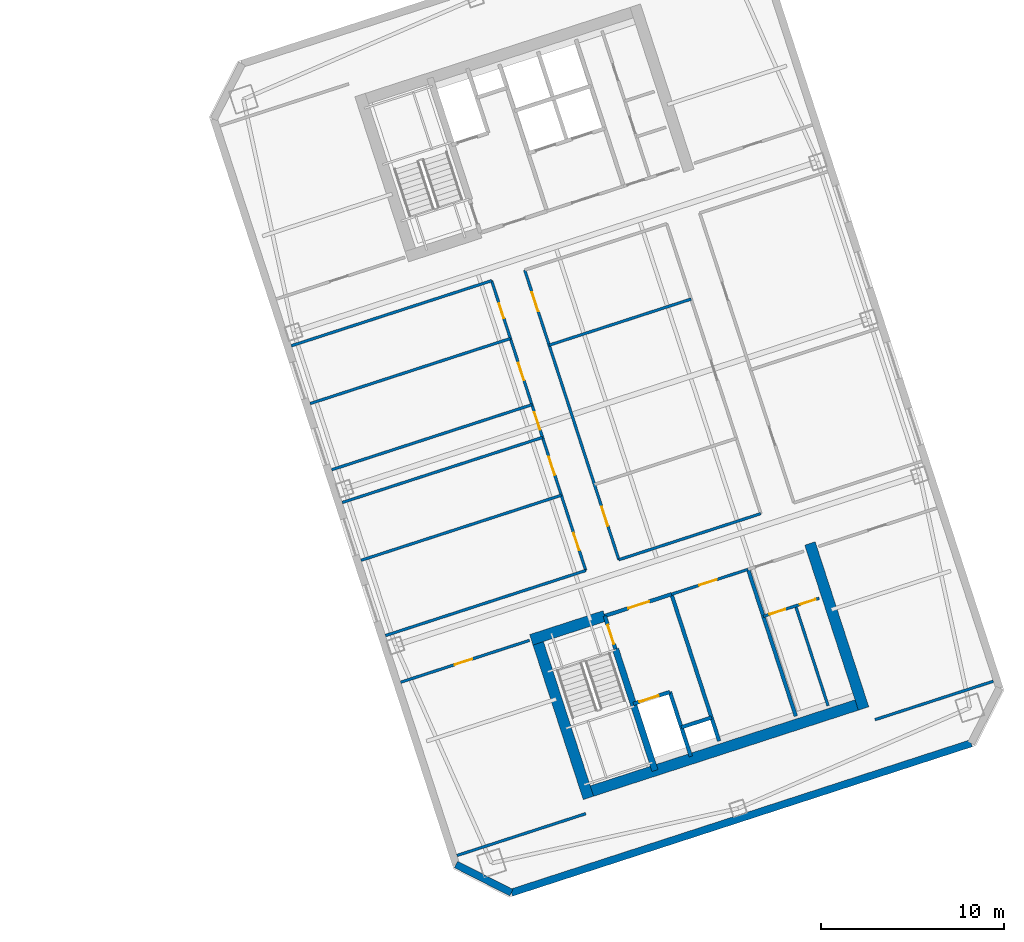
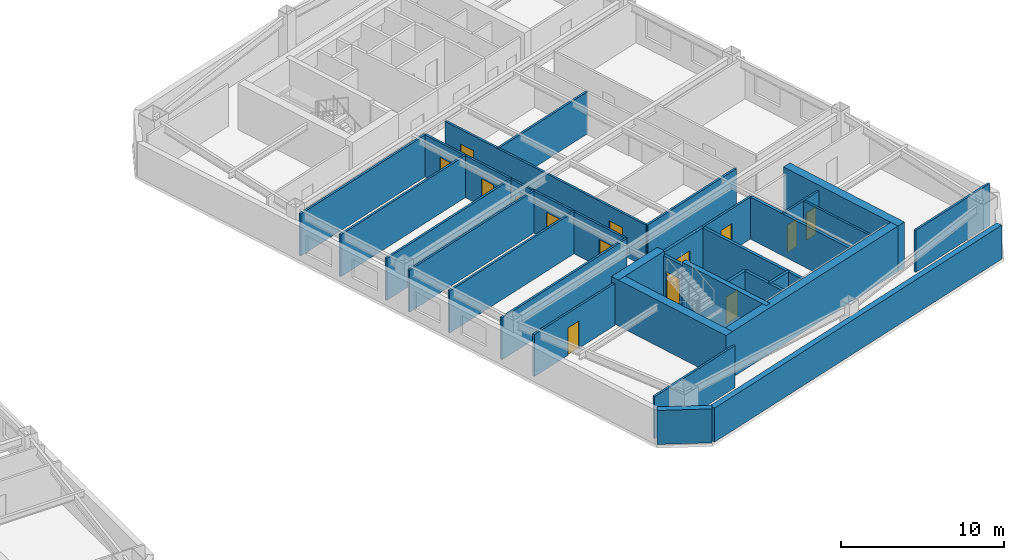
# One storey, part 8 of 13: 30 walls, 14 doors, 14 openings.
"""IFC4 building model written with IfcOpenShell, lengths in metres."""

from ifc_helpers import new_model, si_unit, direction, frame, frame_2d, origin, place, context, subcontext, project, spatial, rectangle, extrude, material, layer, layer_set, type_object, element, fill, save


model = new_model("IFC4")

# Units and contexts
model_context = context("Model", 3, precision=1e-05, world=origin(), true_north=direction((0.0, 1.0)))
body_context = subcontext(model_context, "Body", "Model", "MODEL_VIEW")
ifc_project = project(units=[si_unit("LENGTHUNIT", "METRE"), si_unit("AREAUNIT", "SQUARE_METRE"), si_unit("VOLUMEUNIT", "CUBIC_METRE"), si_unit("PLANEANGLEUNIT", "RADIAN"), si_unit("MASSUNIT", "GRAM", prefix="KILO")], contexts=[model_context])

# Site, building, storey
site_placement = place(None, origin())
site = spatial("IfcSite", under=ifc_project, at=site_placement, CompositionType="ELEMENT")
building_placement = place(site_placement, origin())
building = spatial("IfcBuilding", under=site, at=building_placement, Name="Qiaolan Cultural Towers", CompositionType="ELEMENT")
storey_placement = place(building_placement, frame((0.0, 0.0, 180.550048828125)))
storey = spatial("IfcBuildingStorey", under=building, at=storey_placement, Name="L48", CompositionType="ELEMENT", Elevation=180.550048828125)

# Walls
ifc_material_1 = material(Name="Concrete C50", Category="concrete")
ifc_layer_1 = layer(ifc_material_1, 0.35009765625)
ifc_layer_set_1 = layer_set([ifc_layer_1], Name="Concrete C50")
wall_type_1 = type_object("IfcWallType", Name="WL-CORE-350", PredefinedType="SHEAR", material=ifc_layer_set_1)
wall_1_placement = place(storey_placement, frame((90.486328125, 20.59423828125, 0.0), z_axis=(0.0, 0.0, 1.0), x_axis=(0.309020428229, -0.951055400562, 0.0)))
element("IfcWall", 1, at=wall_1_placement, inside=storey, type_object=wall_type_1, Name="L48 T2-CS Stair Core Dividing Web", PredefinedType="SHEAR", context=body_context, shape_type="SweptSolid", body=[
    extrude(rectangle(XDim=6.97998046875, YDim=0.35009765625, at=frame_2d((3.489990234375, 0.0))), origin(), (0.0, 0.0, 1.0), 3.449951171875),
])
ifc_material_2 = material(Name="Concrete C55", Category="concrete")
ifc_layer_2 = layer(ifc_material_2, 0.60009765625)
ifc_layer_set_2 = layer_set([ifc_layer_2], Name="Concrete C55")
wall_type_2 = type_object("IfcWallType", Name="WL-CORE-600", PredefinedType="SHEAR", material=ifc_layer_set_2)
wall_2_placement = place(storey_placement, frame((88.6298828125, 12.65185546875, 0.0), z_axis=(0.0, 0.0, 1.0), x_axis=(0.95105714907, 0.309015046886, 0.0)))
element("IfcWall", 2, at=wall_2_placement, inside=storey, type_object=wall_type_2, Name="L48 T2-CS Outer Core Shear Wall", PredefinedType="SHEAR", context=body_context, shape_type="SweptSolid", body=[
    extrude(rectangle(XDim=16.400146484375, YDim=0.60009765625, at=frame_2d((8.2001953125, 0.0))), origin(), (0.0, 0.0, 1.0), 3.449951171875),
])
wall_3_placement = place(storey_placement, frame((86.078369140625, 21.47509765625, 0.0), z_axis=(0.0, 0.0, 1.0), x_axis=(0.309017938678, -0.951056209472, 0.0)))
element("IfcWall", 3, at=wall_3_placement, inside=storey, type_object=wall_type_2, Name="L48 T2-CS West Core Shear Wall", PredefinedType="SHEAR", context=body_context, shape_type="SweptSolid", body=[
    extrude(rectangle(XDim=9.479736328125, YDim=0.60009765625, at=frame_2d((4.73974609375, 0.0))), origin(), (0.0, 0.0, 1.0), 3.449951171875),
])
wall_4_placement = place(storey_placement, frame((101.105224609375, 26.357666015625, 0.0), z_axis=(0.0, 0.0, 1.0), x_axis=(0.309010370028, -0.95105866865, 0.0)))
element("IfcWall", 4, at=wall_4_placement, inside=storey, type_object=wall_type_2, Name="L48 T2-CS East Core Shear Wall", PredefinedType="SHEAR", context=body_context, shape_type="SweptSolid", body=[
    extrude(rectangle(XDim=9.47998046875, YDim=0.60009765625, at=frame_2d((4.739990234375, 0.0))), origin(), (0.0, 0.0, 1.0), 3.449951171875),
])
wall_5_placement = place(storey_placement, frame((85.8857421875, 21.09716796875, 0.0), z_axis=(0.0, 0.0, 1.0), x_axis=(0.951068073652, 0.308981422225, 0.0)))
element("IfcWall", 5, at=wall_5_placement, inside=storey, type_object=wall_type_2, Name="L48 T2-CS Stair Front Shear Wall", PredefinedType="SHEAR", context=body_context, shape_type="SweptSolid", body=[
    extrude(rectangle(XDim=4.22021484375, YDim=0.60009765625, at=frame_2d((2.110107421875, 0.0))), origin(), (0.0, 0.0, 1.0), 3.449951171875),
])
ifc_material_3 = material(Name="Precast Concrete C50 Honed Stone Pier", Category="masonry")
ifc_layer_3 = layer(ifc_material_3, 0.39990234375)
ifc_layer_set_3 = layer_set([ifc_layer_3], Name="Precast Concrete C50 Honed Stone Pier")
wall_type_3 = type_object("IfcWallType", Name="WL-EXT-PIER-400", PredefinedType="SOLIDWALL", material=ifc_layer_set_3)
wall_6_placement = place(storey_placement, frame((109.908447265625, 15.44384765625, 0.0), z_axis=(0.0, 0.0, 1.0), x_axis=(-0.951057580055, -0.30901372044, 0.0)))
element("IfcWall", 6, at=wall_6_placement, inside=storey, type_object=wall_type_3, Name="L48 East Tower Precast Pier Facade Wall F7", PredefinedType="SOLIDWALL", context=body_context, shape_type="SweptSolid", body=[
    extrude(rectangle(XDim=26.39990234375, YDim=0.39990234375, at=frame_2d((13.199951171875, 0.0))), origin(), (0.0, 0.0, 1.0), 2.550048828125),
])
wall_7_placement = place(storey_placement, frame((84.800537109375, 7.285888671875, 0.0), z_axis=(0.0, 0.0, 1.0), x_axis=(-0.891020832027, 0.453962417932, 0.0)))
element("IfcWall", 7, at=wall_7_placement, inside=storey, type_object=wall_type_3, Name="L48 East Tower Precast Pier Facade Wall F8", PredefinedType="SOLIDWALL", context=body_context, shape_type="SweptSolid", body=[
    extrude(rectangle(XDim=3.39404296875, YDim=0.39990234375, at=frame_2d((1.697021484375, 0.0))), origin(), (0.0, 0.0, 1.0), 2.550048828125),
])

# Wall, opening, door
ifc_material_4 = material(Name="Concrete C35 Fire Wall", Category="concrete")
ifc_layer_4 = layer(ifc_material_4, 0.199951171875)
ifc_layer_set_4 = layer_set([ifc_layer_4], Name="Concrete C35 Fire Wall")
wall_type_4 = type_object("IfcWallType", Name="WL-FIRE-200", PredefinedType="PARTITIONING", material=ifc_layer_set_4)
wall_8_placement = place(storey_placement, frame((89.8994140625, 22.401123046875, 0.0), z_axis=(0.0, 0.0, 1.0), x_axis=(0.308932062672, -0.951084108086, 0.0)))
wall_8 = element("IfcWall", 8, at=wall_8_placement, inside=storey, type_object=wall_type_4, Name="L48 T2-CS Smokeproof Stair Entry Wall", PredefinedType="PARTITIONING", context=body_context, shape_type="SweptSolid", body=[
    extrude(rectangle(XDim=1.89990234375, YDim=0.199951171875, at=frame_2d((0.949951171875, 0.0))), origin(), (0.0, 0.0, 1.0), 3.155029296875),
])
opening_1_placement = place(wall_8_placement, frame((0.52001953125, 0.0, 0.0)))
opening_1 = element("IfcOpeningElement", 9, at=opening_1_placement, cuts=wall_8, Name="Opening FD-04", PredefinedType="OPENING", context=body_context, shape_type="SweptSolid", body=[
    extrude(rectangle(XDim=1.10009765625, YDim=2.050048828125, at=frame_2d((0.550048828125, 1.02490234375))), frame((0.0, 0.10986328125, 0.0), z_axis=(0.0, -1.0, 0.0), x_axis=(1.0, 0.0, 0.0)), (0.0, 0.0, 1.0), 0.219970703125),
])
ifc_material_5 = material(Name="Galvanized Steel Command Fire Door", Category="steel")
door_type_1 = type_object("IfcDoorType", Name="DR-FD90-1100", OperationType="NOTDEFINED", PredefinedType="DOOR", material=ifc_material_5)
door_1_placement = place(opening_1_placement, origin())
door_1 = element("IfcDoor", 10, at=door_1_placement, inside=storey, type_object=door_type_1, Name="L48 ST-E1 Smokeproof Stair Fire Door", OperationType="SINGLE_SWING_LEFT", OverallHeight=2.050048828125, OverallWidth=1.10009765625, PredefinedType="DOOR", context=body_context, shape_type="SweptSolid", body=[
    extrude(rectangle(XDim=1.10009765625, YDim=2.050048828125, at=frame_2d((0.550048828125, 1.02490234375))), frame((0.0, 0.02490234375, 0.0), z_axis=(0.0, -1.0, 0.0), x_axis=(1.0, 0.0, 0.0)), (0.0, 0.0, 1.0), 0.050048828125),
])
fill(opening_1, door_1)

# Wall
wall_9_placement = place(storey_placement, frame((93.541748046875, 23.584716796875, 0.0), z_axis=(0.0, 0.0, 1.0), x_axis=(0.309042196757, -0.951048327176, 0.0)))
element("IfcWall", 11, at=wall_9_placement, inside=storey, type_object=wall_type_4, Name="L48 T2-CS Firefighting Zone Wall", PredefinedType="PARTITIONING", context=body_context, shape_type="SweptSolid", body=[
    extrude(rectangle(XDim=8.429931640625, YDim=0.199951171875, at=frame_2d((4.21484375, 0.0))), origin(), (0.0, 0.0, 1.0), 3.155029296875),
])

# Wall, opening, door
wall_10_placement = place(storey_placement, frame((89.8994140625, 22.401123046875, 0.0), z_axis=(0.0, 0.0, 1.0), x_axis=(0.951046716504, 0.309047153403, 0.0)))
wall_10 = element("IfcWall", 12, at=wall_10_placement, inside=storey, type_object=wall_type_4, Name="L48 T2-CS Firefighting Lobby Front Wall", PredefinedType="PARTITIONING", context=body_context, shape_type="SweptSolid", body=[
    extrude(rectangle(XDim=3.829833984375, YDim=0.199951171875, at=frame_2d((1.9150390625, 0.0))), origin(), (0.0, 0.0, 1.0), 3.155029296875),
])
opening_2_placement = place(wall_10_placement, frame((1.35009765625, 0.0, 0.0)))
opening_2 = element("IfcOpeningElement", 13, at=opening_2_placement, cuts=wall_10, Name="Opening FD-03", PredefinedType="OPENING", context=body_context, shape_type="SweptSolid", body=[
    extrude(rectangle(XDim=1.199951171875, YDim=2.050048828125, at=frame_2d((0.60009765625, 1.02490234375))), frame((0.0, 0.10986328125, 0.0), z_axis=(0.0, -1.0, 0.0), x_axis=(1.0, 0.0, 0.0)), (0.0, 0.0, 1.0), 0.219970703125),
])
ifc_material_6 = material(Name="Galvanized Steel Smokeproof Lobby Fire Door", Category="steel")
door_type_2 = type_object("IfcDoorType", Name="DR-FD90-1200", OperationType="NOTDEFINED", PredefinedType="DOOR", material=ifc_material_6)
door_2_placement = place(opening_2_placement, origin())
door_2 = element("IfcDoor", 14, at=door_2_placement, inside=storey, type_object=door_type_2, Name="L48 FFL-E1 Firefighting Lobby Fire Door", OperationType="SINGLE_SWING_LEFT", OverallHeight=2.050048828125, OverallWidth=1.199951171875, PredefinedType="DOOR", context=body_context, shape_type="SweptSolid", body=[
    extrude(rectangle(XDim=1.199951171875, YDim=2.050048828125, at=frame_2d((0.60009765625, 1.02490234375))), frame((0.0, 0.02490234375, 0.0), z_axis=(0.0, -1.0, 0.0), x_axis=(1.0, 0.0, 0.0)), (0.0, 0.0, 1.0), 0.050048828125),
])
fill(opening_2, door_2)

wall_11_placement = place(storey_placement, frame((91.459716796875, 17.598388671875, 0.0), z_axis=(0.0, 0.0, 1.0), x_axis=(0.951062257173, 0.308999325213, 0.0)))
wall_11 = element("IfcWall", 15, at=wall_11_placement, inside=storey, type_object=wall_type_4, Name="L48 T2-CS Firefighting Shaft Front Wall", PredefinedType="PARTITIONING", context=body_context, shape_type="SweptSolid", body=[
    extrude(rectangle(XDim=2.10009765625, YDim=0.199951171875, at=frame_2d((1.050048828125, 0.0))), origin(), (0.0, 0.0, 1.0), 3.155029296875),
])
opening_3_placement = place(wall_11_placement, frame((0.35009765625, 0.0, 0.0)))
opening_3 = element("IfcOpeningElement", 16, at=opening_3_placement, cuts=wall_11, Name="Opening LD-01", PredefinedType="OPENING", context=body_context, shape_type="SweptSolid", body=[
    extrude(rectangle(XDim=1.10009765625, YDim=2.050048828125, at=frame_2d((0.550048828125, 1.02490234375))), frame((0.0, 0.10986328125, 0.0), z_axis=(0.0, -1.0, 0.0), x_axis=(1.0, 0.0, 0.0)), (0.0, 0.0, 1.0), 0.219970703125),
])
ifc_material_7 = material(Name="Brushed Stainless Steel S30408 Centre-Parting Lift Landing Door", Category="steel")
door_type_3 = type_object("IfcDoorType", Name="DR-LIFT-1100", OperationType="NOTDEFINED", PredefinedType="DOOR", material=ifc_material_7)
door_3_placement = place(opening_3_placement, origin())
door_3 = element("IfcDoor", 17, at=door_3_placement, inside=storey, type_object=door_type_3, Name="L48 FFL-E1 Firefighting Lift Landing Door", OperationType="DOUBLE_DOOR_SLIDING", OverallHeight=2.050048828125, OverallWidth=1.10009765625, PredefinedType="DOOR", context=body_context, shape_type="SweptSolid", body=[
    extrude(rectangle(XDim=1.10009765625, YDim=2.050048828125, at=frame_2d((0.550048828125, 1.02490234375))), frame((0.0, 0.02490234375, 0.0), z_axis=(0.0, -1.0, 0.0), x_axis=(1.0, 0.0, 0.0)), (0.0, 0.0, 1.0), 0.050048828125),
])
fill(opening_3, door_3)

# Walls
wall_12_placement = place(storey_placement, frame((93.45703125, 18.247314453125, 0.0), z_axis=(0.0, 0.0, 1.0), x_axis=(0.3089935693, -0.951064127245, 0.0)))
element("IfcWall", 18, at=wall_12_placement, inside=storey, type_object=wall_type_4, Name="L48 T2-CS Firefighting Hoistway East Wall", PredefinedType="PARTITIONING", context=body_context, shape_type="SweptSolid", body=[
    extrude(rectangle(XDim=3.7001953125, YDim=0.199951171875, at=frame_2d((1.85009765625, 0.0))), origin(), (0.0, 0.0, 1.0), 3.155029296875),
])
wall_13_placement = place(storey_placement, frame((94.08447265625, 16.316650390625, 0.0), z_axis=(0.0, 0.0, 1.0), x_axis=(0.951041328149, 0.309063734775, 0.0)))
element("IfcWall", 19, at=wall_13_placement, inside=storey, type_object=wall_type_4, Name="L48 T2-CS Pressurization Shaft Front Wall", PredefinedType="PARTITIONING", context=body_context, shape_type="SweptSolid", body=[
    extrude(rectangle(XDim=1.72998046875, YDim=0.199951171875, at=frame_2d((0.864990234375, 0.0))), origin(), (0.0, 0.0, 1.0), 3.155029296875),
])
wall_14_placement = place(storey_placement, frame((97.7265625, 24.9443359375, 0.0), z_axis=(0.0, 0.0, 1.0), x_axis=(0.309016001439, -0.951056838919, 0.0)))
element("IfcWall", 20, at=wall_14_placement, inside=storey, type_object=wall_type_4, Name="L48 T2-CS Lift Core East Wall", PredefinedType="PARTITIONING", context=body_context, shape_type="SweptSolid", body=[
    extrude(rectangle(XDim=8.429931640625, YDim=0.199951171875, at=frame_2d((4.21484375, 0.0))), origin(), (0.0, 0.0, 1.0), 3.155029296875),
])

# Wall, opening, door
ifc_material_8 = material(Name="Autoclaved Aerated Concrete Block B06", Category="concrete")
ifc_layer_5 = layer(ifc_material_8, 0.14990234375)
ifc_layer_set_5 = layer_set([ifc_layer_5], Name="Autoclaved Aerated Concrete Block B06")
wall_type_5 = type_object("IfcWallType", Name="WL-PART-150", PredefinedType="PARTITIONING", material=ifc_layer_set_5)
wall_15_placement = place(storey_placement, frame((93.541748046875, 23.584716796875, 0.0), z_axis=(0.0, 0.0, 1.0), x_axis=(0.951063829732, 0.308994485023, 0.0)))
wall_15 = element("IfcWall", 21, at=wall_15_placement, inside=storey, type_object=wall_type_5, Name="L48 T2-CS Reclaimed Core Room Front Wall", PredefinedType="PARTITIONING", context=body_context, shape_type="SweptSolid", body=[
    extrude(rectangle(XDim=4.400146484375, YDim=0.14990234375, at=frame_2d((2.2001953125, 0.0))), origin(), (0.0, 0.0, 1.0), 3.155029296875),
])
opening_4_placement = place(wall_15_placement, frame((1.60009765625, 0.0, 0.0)))
opening_4 = element("IfcOpeningElement", 22, at=opening_4_placement, cuts=wall_15, Name="Opening ID-04", PredefinedType="OPENING", context=body_context, shape_type="SweptSolid", body=[
    extrude(rectangle(XDim=1.0, YDim=2.050048828125, at=frame_2d((0.5, 1.02490234375))), frame((0.0, 0.0849609375, 0.0), z_axis=(0.0, -1.0, 0.0), x_axis=(1.0, 0.0, 0.0)), (0.0, 0.0, 1.0), 0.169921875),
])
ifc_material_9 = material(Name="Oak Veneer Acoustic Office Door", Category="timber")
door_type_4 = type_object("IfcDoorType", Name="DR-INT-1000", OperationType="NOTDEFINED", PredefinedType="DOOR", material=ifc_material_9)
door_4_placement = place(opening_4_placement, origin())
door_4 = element("IfcDoor", 23, at=door_4_placement, inside=storey, type_object=door_type_4, Name="L48 Reclaimed Archive Room Door", OperationType="SINGLE_SWING_LEFT", OverallHeight=2.050048828125, OverallWidth=1.0, PredefinedType="DOOR", context=body_context, shape_type="SweptSolid", body=[
    extrude(rectangle(XDim=1.0, YDim=2.050048828125, at=frame_2d((0.5, 1.02490234375))), frame((0.0, 0.02490234375, 0.0), z_axis=(0.0, -1.0, 0.0), x_axis=(1.0, 0.0, 0.0)), (0.0, 0.0, 1.0), 0.050048828125),
])
fill(opening_4, door_4)

# Wall, openings, doors
wall_16_placement = place(storey_placement, frame((98.560791015625, 22.37646484375, 0.0), z_axis=(0.0, 0.0, 1.0), x_axis=(0.95104415986, 0.309055020985, 0.0)))
wall_16 = element("IfcWall", 24, at=wall_16_placement, inside=storey, type_object=wall_type_5, Name="L48 T2-CS Restroom Vestibule Wall", PredefinedType="PARTITIONING", context=body_context, shape_type="SweptSolid", body=[
    extrude(rectangle(XDim=3.2001953125, YDim=0.14990234375, at=frame_2d((1.60009765625, 0.0))), origin(), (0.0, 0.0, 1.0), 3.155029296875),
])
opening_5_placement = place(wall_16_placement, frame((0.35009765625, 0.0, 0.0)))
opening_5 = element("IfcOpeningElement", 25, at=opening_5_placement, cuts=wall_16, Name="Opening ID-06", PredefinedType="OPENING", context=body_context, shape_type="SweptSolid", body=[
    extrude(rectangle(XDim=0.89990234375, YDim=2.050048828125, at=frame_2d((0.449951171875, 1.02490234375))), frame((0.0, 0.0849609375, 0.0), z_axis=(0.0, -1.0, 0.0), x_axis=(1.0, 0.0, 0.0)), (0.0, 0.0, 1.0), 0.169921875),
])
opening_6_placement = place(wall_16_placement, frame((2.10009765625, 0.0, 0.0)))
opening_6 = element("IfcOpeningElement", 26, at=opening_6_placement, cuts=wall_16, Name="Opening ID-06", PredefinedType="OPENING", context=body_context, shape_type="SweptSolid", body=[
    extrude(rectangle(XDim=0.89990234375, YDim=2.050048828125, at=frame_2d((0.449951171875, 1.02490234375))), frame((0.0, 0.0849609375, 0.0), z_axis=(0.0, -1.0, 0.0), x_axis=(1.0, 0.0, 0.0)), (0.0, 0.0, 1.0), 0.169921875),
])
ifc_material_10 = material(Name="Fire-Rated Laminate Core Service Door", Category="timber")
door_type_5 = type_object("IfcDoorType", Name="DR-INT-900", OperationType="NOTDEFINED", PredefinedType="DOOR", material=ifc_material_10)
door_5_placement = place(opening_5_placement, origin())
door_5 = element("IfcDoor", 27, at=door_5_placement, inside=storey, type_object=door_type_5, Name="L48 Men Restroom Door", OperationType="SINGLE_SWING_LEFT", OverallHeight=2.050048828125, OverallWidth=0.89990234375, PredefinedType="DOOR", context=body_context, shape_type="SweptSolid", body=[
    extrude(rectangle(XDim=0.89990234375, YDim=2.050048828125, at=frame_2d((0.449951171875, 1.02490234375))), frame((0.0, 0.02490234375, 0.0), z_axis=(0.0, -1.0, 0.0), x_axis=(1.0, 0.0, 0.0)), (0.0, 0.0, 1.0), 0.050048828125),
])
fill(opening_5, door_5)
door_6_placement = place(opening_6_placement, origin())
door_6 = element("IfcDoor", 28, at=door_6_placement, inside=storey, type_object=door_type_5, Name="L48 Accessible & Women Restroom Door", OperationType="SINGLE_SWING_RIGHT", OverallHeight=2.050048828125, OverallWidth=0.89990234375, PredefinedType="DOOR", context=body_context, shape_type="SweptSolid", body=[
    extrude(rectangle(XDim=0.89990234375, YDim=2.050048828125, at=frame_2d((0.449951171875, 1.02490234375))), frame((0.0, 0.02490234375, 0.0), z_axis=(0.0, -1.0, 0.0), x_axis=(1.0, 0.0, 0.0)), (0.0, 0.0, 1.0), 0.050048828125),
])
fill(opening_6, door_6)

# Walls
wall_17_placement = place(storey_placement, frame((100.3203125, 22.9482421875, 0.0), z_axis=(0.0, 0.0, 1.0), x_axis=(0.309035009867, -0.951050662518, 0.0)))
element("IfcWall", 29, at=wall_17_placement, inside=storey, type_object=wall_type_5, Name="L48 T2-CS Restroom Divider Wall", PredefinedType="PARTITIONING", context=body_context, shape_type="SweptSolid", body=[
    extrude(rectangle(XDim=5.72998046875, YDim=0.14990234375, at=frame_2d((2.864990234375, 0.0))), origin(), (0.0, 0.0, 1.0), 3.155029296875),
])
wall_18_placement = place(storey_placement, frame((81.82763671875, 9.31640625, 0.0), z_axis=(0.0, 0.0, 1.0), x_axis=(0.95105128112, 0.309033106124, 0.0)))
element("IfcWall", 30, at=wall_18_placement, inside=storey, type_object=wall_type_5, Name="L48 T2 Flank Wall FLK-SW", PredefinedType="PARTITIONING", context=body_context, shape_type="SweptSolid", body=[
    extrude(rectangle(XDim=7.400146484375, YDim=0.14990234375, at=frame_2d((3.7001953125, 0.0))), origin(), (0.0, 0.0, 1.0), 3.155029296875),
])

# Wall, opening, door
wall_19_placement = place(storey_placement, frame((78.7529296875, 18.779541015625, 0.0), z_axis=(0.0, 0.0, 1.0), x_axis=(0.951060977215, 0.309003264738, 0.0)))
wall_19 = element("IfcWall", 31, at=wall_19_placement, inside=storey, type_object=wall_type_5, Name="L48 T2 Flank Front FLK-SW", PredefinedType="PARTITIONING", context=body_context, shape_type="SweptSolid", body=[
    extrude(rectangle(XDim=7.39990234375, YDim=0.14990234375, at=frame_2d((3.699951171875, 0.0))), origin(), (0.0, 0.0, 1.0), 3.155029296875),
])
opening_7_placement = place(wall_19_placement, frame((3.10791015625, 0.0, 0.0)))
opening_7 = element("IfcOpeningElement", 32, at=opening_7_placement, cuts=wall_19, Name="Opening ID-04", PredefinedType="OPENING", context=body_context, shape_type="SweptSolid", body=[
    extrude(rectangle(XDim=1.0, YDim=2.050048828125, at=frame_2d((0.5, 1.02490234375))), frame((0.0, 0.0849609375, 0.0), z_axis=(0.0, -1.0, 0.0), x_axis=(1.0, 0.0, 0.0)), (0.0, 0.0, 1.0), 0.169921875),
])
door_7_placement = place(opening_7_placement, origin())
door_7 = element("IfcDoor", 33, at=door_7_placement, inside=storey, type_object=door_type_4, Name="L48 T2 Corner Studio Door", OperationType="SINGLE_SWING_LEFT", OverallHeight=2.050048828125, OverallWidth=1.0, PredefinedType="DOOR", context=body_context, shape_type="SweptSolid", body=[
    extrude(rectangle(XDim=1.0, YDim=2.050048828125, at=frame_2d((0.5, 1.02490234375))), frame((0.0, 0.02490234375, 0.0), z_axis=(0.0, -1.0, 0.0), x_axis=(1.0, 0.0, 0.0)), (0.0, 0.0, 1.0), 0.050048828125),
])
fill(opening_7, door_7)

# Walls
wall_20_placement = place(storey_placement, frame((104.653076171875, 16.73291015625, 0.0), z_axis=(0.0, 0.0, 1.0), x_axis=(0.951054383043, 0.309023559774, 0.0)))
element("IfcWall", 34, at=wall_20_placement, inside=storey, type_object=wall_type_5, Name="L48 T2 Flank Wall FLK-SE", PredefinedType="PARTITIONING", context=body_context, shape_type="SweptSolid", body=[
    extrude(rectangle(XDim=6.7998046875, YDim=0.14990234375, at=frame_2d((3.39990234375, 0.0))), origin(), (0.0, 0.0, 1.0), 3.155029296875),
])
wall_21_placement = place(storey_placement, frame((77.9248046875, 21.328369140625, 0.0), z_axis=(0.0, 0.0, 1.0), x_axis=(0.951054972381, 0.309021746015, 0.0)))
element("IfcWall", 35, at=wall_21_placement, inside=storey, type_object=wall_type_5, Name="L48 T2 Interior Wall", PredefinedType="PARTITIONING", context=body_context, shape_type="SweptSolid", body=[
    extrude(rectangle(XDim=11.499755859375, YDim=0.14990234375, at=frame_2d((5.75, 0.0))), origin(), (0.0, 0.0, 1.0), 3.155029296875),
])
wall_22_placement = place(storey_placement, frame((90.6689453125, 25.46923828125, 0.0), z_axis=(0.0, 0.0, 1.0), x_axis=(0.95106136293, 0.309002077568, 0.0)))
element("IfcWall", 36, at=wall_22_placement, inside=storey, type_object=wall_type_5, Name="L48 T2 Interior Wall", PredefinedType="PARTITIONING", context=body_context, shape_type="SweptSolid", body=[
    extrude(rectangle(XDim=8.14990234375, YDim=0.14990234375, at=frame_2d((4.074951171875, 0.0))), origin(), (0.0, 0.0, 1.0), 3.155029296875),
])
wall_23_placement = place(storey_placement, frame((72.78271484375, 37.15380859375, 0.0), z_axis=(0.0, 0.0, 1.0), x_axis=(0.951056999652, 0.309015506751, 0.0)))
element("IfcWall", 37, at=wall_23_placement, inside=storey, type_object=wall_type_5, Name="L48 T2 Interior Wall", PredefinedType="PARTITIONING", context=body_context, shape_type="SweptSolid", body=[
    extrude(rectangle(XDim=11.5, YDim=0.14990234375, at=frame_2d((5.75, 0.0))), origin(), (0.0, 0.0, 1.0), 3.155029296875),
])

# Wall, openings, doors
wall_24_placement = place(storey_placement, frame((88.86181640625, 24.882080078125, 0.0), z_axis=(0.0, 0.0, 1.0), x_axis=(-0.309008771245, 0.951059188113, 0.0)))
wall_24 = element("IfcWall", 38, at=wall_24_placement, inside=storey, type_object=wall_type_5, Name="L48 T2 Interior Wall", PredefinedType="PARTITIONING", context=body_context, shape_type="SweptSolid", body=[
    extrude(rectangle(XDim=16.639892578125, YDim=0.14990234375, at=frame_2d((8.31982421875, 0.0))), origin(), (0.0, 0.0, 1.0), 3.155029296875),
])
opening_8_placement = place(wall_24_placement, frame((1.159912109375, 0.0, 0.0)))
opening_8 = element("IfcOpeningElement", 39, at=opening_8_placement, cuts=wall_24, Name="Opening ID-04", PredefinedType="OPENING", context=body_context, shape_type="SweptSolid", body=[
    extrude(rectangle(XDim=1.0, YDim=2.050048828125, at=frame_2d((0.5, 1.02490234375))), frame((0.0, 0.0849609375, 0.0), z_axis=(0.0, -1.0, 0.0), x_axis=(1.0, 0.0, 0.0)), (0.0, 0.0, 1.0), 0.169921875),
])
opening_9_placement = place(wall_24_placement, frame((5.47998046875, 0.0, 0.0)))
opening_9 = element("IfcOpeningElement", 40, at=opening_9_placement, cuts=wall_24, Name="Opening ID-07", PredefinedType="OPENING", context=body_context, shape_type="SweptSolid", body=[
    extrude(rectangle(XDim=1.050048828125, YDim=2.050048828125, at=frame_2d((0.52490234375, 1.02490234375))), frame((0.0, 0.0849609375, 0.0), z_axis=(0.0, -1.0, 0.0), x_axis=(1.0, 0.0, 0.0)), (0.0, 0.0, 1.0), 0.169921875),
])
opening_10_placement = place(wall_24_placement, frame((8.080078125, 0.0, 0.0)))
opening_10 = element("IfcOpeningElement", 41, at=opening_10_placement, cuts=wall_24, Name="Opening ID-04", PredefinedType="OPENING", context=body_context, shape_type="SweptSolid", body=[
    extrude(rectangle(XDim=1.0, YDim=2.050048828125, at=frame_2d((0.5, 1.02490234375))), frame((0.0, 0.0849609375, 0.0), z_axis=(0.0, -1.0, 0.0), x_axis=(1.0, 0.0, 0.0)), (0.0, 0.0, 1.0), 0.169921875),
])
opening_11_placement = place(wall_24_placement, frame((10.919921875, 0.0, 0.0)))
opening_11 = element("IfcOpeningElement", 42, at=opening_11_placement, cuts=wall_24, Name="Opening ID-04", PredefinedType="OPENING", context=body_context, shape_type="SweptSolid", body=[
    extrude(rectangle(XDim=1.0, YDim=2.050048828125, at=frame_2d((0.5, 1.02490234375))), frame((0.0, 0.0849609375, 0.0), z_axis=(0.0, -1.0, 0.0), x_axis=(1.0, 0.0, 0.0)), (0.0, 0.0, 1.0), 0.169921875),
])
opening_12_placement = place(wall_24_placement, frame((14.47998046875, 0.0, 0.0)))
opening_12 = element("IfcOpeningElement", 43, at=opening_12_placement, cuts=wall_24, Name="Opening ID-09", PredefinedType="OPENING", context=body_context, shape_type="SweptSolid", body=[
    extrude(rectangle(XDim=0.85009765625, YDim=2.050048828125, at=frame_2d((0.425048828125, 1.02490234375))), frame((0.0, 0.0849609375, 0.0), z_axis=(0.0, -1.0, 0.0), x_axis=(1.0, 0.0, 0.0)), (0.0, 0.0, 1.0), 0.169921875),
])
door_8_placement = place(opening_8_placement, origin())
door_8 = element("IfcDoor", 44, at=door_8_placement, inside=storey, type_object=door_type_4, Name="L48 T2 Digital Media Gallery Door", OperationType="SINGLE_SWING_LEFT", OverallHeight=2.050048828125, OverallWidth=1.0, PredefinedType="DOOR", context=body_context, shape_type="SweptSolid", body=[
    extrude(rectangle(XDim=1.0, YDim=2.050048828125, at=frame_2d((0.5, 1.02490234375))), frame((0.0, 0.02490234375, 0.0), z_axis=(0.0, -1.0, 0.0), x_axis=(1.0, 0.0, 0.0)), (0.0, 0.0, 1.0), 0.050048828125),
])
fill(opening_8, door_8)
door_9_placement = place(opening_10_placement, origin())
door_9 = element("IfcDoor", 45, at=door_9_placement, inside=storey, type_object=door_type_4, Name="L48 T2 Sound Kitchenette Door", OperationType="SINGLE_SWING_RIGHT", OverallHeight=2.050048828125, OverallWidth=1.0, PredefinedType="DOOR", context=body_context, shape_type="SweptSolid", body=[
    extrude(rectangle(XDim=1.0, YDim=2.050048828125, at=frame_2d((0.5, 1.02490234375))), frame((0.0, 0.02490234375, 0.0), z_axis=(0.0, -1.0, 0.0), x_axis=(1.0, 0.0, 0.0)), (0.0, 0.0, 1.0), 0.050048828125),
])
fill(opening_10, door_9)
door_10_placement = place(opening_11_placement, origin())
door_10 = element("IfcDoor", 46, at=door_10_placement, inside=storey, type_object=door_type_4, Name="L48 T2 Media Lounge Door", OperationType="SINGLE_SWING_LEFT", OverallHeight=2.050048828125, OverallWidth=1.0, PredefinedType="DOOR", context=body_context, shape_type="SweptSolid", body=[
    extrude(rectangle(XDim=1.0, YDim=2.050048828125, at=frame_2d((0.5, 1.02490234375))), frame((0.0, 0.02490234375, 0.0), z_axis=(0.0, -1.0, 0.0), x_axis=(1.0, 0.0, 0.0)), (0.0, 0.0, 1.0), 0.050048828125),
])
fill(opening_11, door_10)
ifc_material_11 = material(Name="Oak Veneer Consultation Door", Category="timber")
door_type_6 = type_object("IfcDoorType", Name="DR-INT-1050", OperationType="NOTDEFINED", PredefinedType="DOOR", material=ifc_material_11)
door_11_placement = place(opening_9_placement, origin())
door_11 = element("IfcDoor", 47, at=door_11_placement, inside=storey, type_object=door_type_6, Name="L48 T2 Sound Kitchenette Door", OperationType="SINGLE_SWING_LEFT", OverallHeight=2.050048828125, OverallWidth=1.050048828125, PredefinedType="DOOR", context=body_context, shape_type="SweptSolid", body=[
    extrude(rectangle(XDim=1.050048828125, YDim=2.050048828125, at=frame_2d((0.52490234375, 1.02490234375))), frame((0.0, 0.02490234375, 0.0), z_axis=(0.0, -1.0, 0.0), x_axis=(1.0, 0.0, 0.0)), (0.0, 0.0, 1.0), 0.050048828125),
])
fill(opening_9, door_11)
ifc_material_12 = material(Name="Moisture-Resistant Laminate Utility Door", Category="timber")
door_type_7 = type_object("IfcDoorType", Name="DR-INT-850", OperationType="NOTDEFINED", PredefinedType="DOOR", material=ifc_material_12)
door_12_placement = place(opening_12_placement, origin())
door_12 = element("IfcDoor", 48, at=door_12_placement, inside=storey, type_object=door_type_7, Name="L48 T2 Media Bookshop Door", OperationType="SINGLE_SWING_RIGHT", OverallHeight=2.050048828125, OverallWidth=0.85009765625, PredefinedType="DOOR", context=body_context, shape_type="SweptSolid", body=[
    extrude(rectangle(XDim=0.85009765625, YDim=2.050048828125, at=frame_2d((0.425048828125, 1.02490234375))), frame((0.0, 0.02490234375, 0.0), z_axis=(0.0, -1.0, 0.0), x_axis=(1.0, 0.0, 0.0)), (0.0, 0.0, 1.0), 0.050048828125),
])
fill(opening_12, door_12)

wall_25_placement = place(storey_placement, frame((90.6689453125, 25.46923828125, 0.0), z_axis=(0.0, 0.0, 1.0), x_axis=(-0.309022042254, 0.951054876125, 0.0)))
wall_25 = element("IfcWall", 49, at=wall_25_placement, inside=storey, type_object=wall_type_5, Name="L48 T2 Interior Wall", PredefinedType="PARTITIONING", context=body_context, shape_type="SweptSolid", body=[
    extrude(rectangle(XDim=16.639892578125, YDim=0.14990234375, at=frame_2d((8.31982421875, 0.0))), origin(), (0.0, 0.0, 1.0), 3.155029296875),
])
opening_13_placement = place(wall_25_placement, frame((1.944091796875, 0.0, 0.0)))
opening_13 = element("IfcOpeningElement", 50, at=opening_13_placement, cuts=wall_25, Name="Opening ID-03", PredefinedType="OPENING", context=body_context, shape_type="SweptSolid", body=[
    extrude(rectangle(XDim=1.10009765625, YDim=2.050048828125, at=frame_2d((0.550048828125, 1.02490234375))), frame((0.0, 0.0849609375, 0.0), z_axis=(0.0, -1.0, 0.0), x_axis=(1.0, 0.0, 0.0)), (0.0, 0.0, 1.0), 0.169921875),
])
opening_14_placement = place(wall_25_placement, frame((14.263916015625, 0.0, 0.0)))
opening_14 = element("IfcOpeningElement", 51, at=opening_14_placement, cuts=wall_25, Name="Opening ID-03", PredefinedType="OPENING", context=body_context, shape_type="SweptSolid", body=[
    extrude(rectangle(XDim=1.10009765625, YDim=2.050048828125, at=frame_2d((0.550048828125, 1.02490234375))), frame((0.0, 0.0849609375, 0.0), z_axis=(0.0, -1.0, 0.0), x_axis=(1.0, 0.0, 0.0)), (0.0, 0.0, 1.0), 0.169921875),
])
ifc_material_13 = material(Name="Oak Veneer Solid-Core Boardroom Door", Category="timber")
door_type_8 = type_object("IfcDoorType", Name="DR-INT-1100", OperationType="NOTDEFINED", PredefinedType="DOOR", material=ifc_material_13)
door_13_placement = place(opening_13_placement, origin())
door_13 = element("IfcDoor", 52, at=door_13_placement, inside=storey, type_object=door_type_8, Name="L48 T2 Central Boardroom Door", OperationType="SINGLE_SWING_LEFT", OverallHeight=2.050048828125, OverallWidth=1.10009765625, PredefinedType="DOOR", context=body_context, shape_type="SweptSolid", body=[
    extrude(rectangle(XDim=1.10009765625, YDim=2.050048828125, at=frame_2d((0.550048828125, 1.02490234375))), frame((0.0, 0.02490234375, 0.0), z_axis=(0.0, -1.0, 0.0), x_axis=(1.0, 0.0, 0.0)), (0.0, 0.0, 1.0), 0.050048828125),
])
fill(opening_13, door_13)
door_14_placement = place(opening_14_placement, origin())
door_14 = element("IfcDoor", 53, at=door_14_placement, inside=storey, type_object=door_type_8, Name="L48 T2 Central Archive Room Door", OperationType="SINGLE_SWING_RIGHT", OverallHeight=2.050048828125, OverallWidth=1.10009765625, PredefinedType="DOOR", context=body_context, shape_type="SweptSolid", body=[
    extrude(rectangle(XDim=1.10009765625, YDim=2.050048828125, at=frame_2d((0.550048828125, 1.02490234375))), frame((0.0, 0.02490234375, 0.0), z_axis=(0.0, -1.0, 0.0), x_axis=(1.0, 0.0, 0.0)), (0.0, 0.0, 1.0), 0.050048828125),
])
fill(opening_14, door_14)

# Walls
wall_26_placement = place(storey_placement, frame((86.86181640625, 37.186279296875, 0.0), z_axis=(0.0, 0.0, 1.0), x_axis=(0.95106422313, 0.308993274169, 0.0)))
element("IfcWall", 54, at=wall_26_placement, inside=storey, type_object=wall_type_5, Name="L48 T2 Interior Wall", PredefinedType="PARTITIONING", context=body_context, shape_type="SweptSolid", body=[
    extrude(rectangle(XDim=8.150146484375, YDim=0.14990234375, at=frame_2d((4.0751953125, 0.0))), origin(), (0.0, 0.0, 1.0), 3.155029296875),
])
for number, where, z_axis, x_axis, name in (
    (55, (76.58984375, 25.43701171875, 0.0), (0.0, 0.0, 1.0), (0.951054972381, 0.309021746015, 0.0), "L48 T2 Interior Wall"),
    (56, (75.56396484375, 28.594482421875, 0.0), (0.0, 0.0, 1.0), (0.951054972381, 0.309021746015, 0.0), "L48 T2 Interior Wall"),
):
    element("IfcWall", number, at=place(storey_placement, frame(where, z_axis=z_axis, x_axis=x_axis)), inside=storey, type_object=wall_type_5, Name=name, PredefinedType="PARTITIONING", context=body_context, shape_type="SweptSolid", body=[
        extrude(rectangle(XDim=11.499755859375, YDim=0.14990234375, at=frame_2d((5.75, 0.0))), origin(), (0.0, 0.0, 1.0), 3.155029296875),
    ])
for number, where, z_axis, x_axis, name in (
    (57, (74.98291015625, 30.38232421875, 0.0), (0.0, 0.0, 1.0), (0.951056999652, 0.309015506751, 0.0), "L48 T2 Interior Wall"),
    (58, (73.80859375, 33.996337890625, 0.0), (0.0, 0.0, 1.0), (0.951056999652, 0.309015506751, 0.0), "L48 T2 Interior Wall"),
):
    element("IfcWall", number, at=place(storey_placement, frame(where, z_axis=z_axis, x_axis=x_axis)), inside=storey, type_object=wall_type_5, Name=name, PredefinedType="PARTITIONING", context=body_context, shape_type="SweptSolid", body=[
        extrude(rectangle(XDim=11.5, YDim=0.14990234375, at=frame_2d((5.75, 0.0))), origin(), (0.0, 0.0, 1.0), 3.155029296875),
    ])

save(model, "model.ifc")
